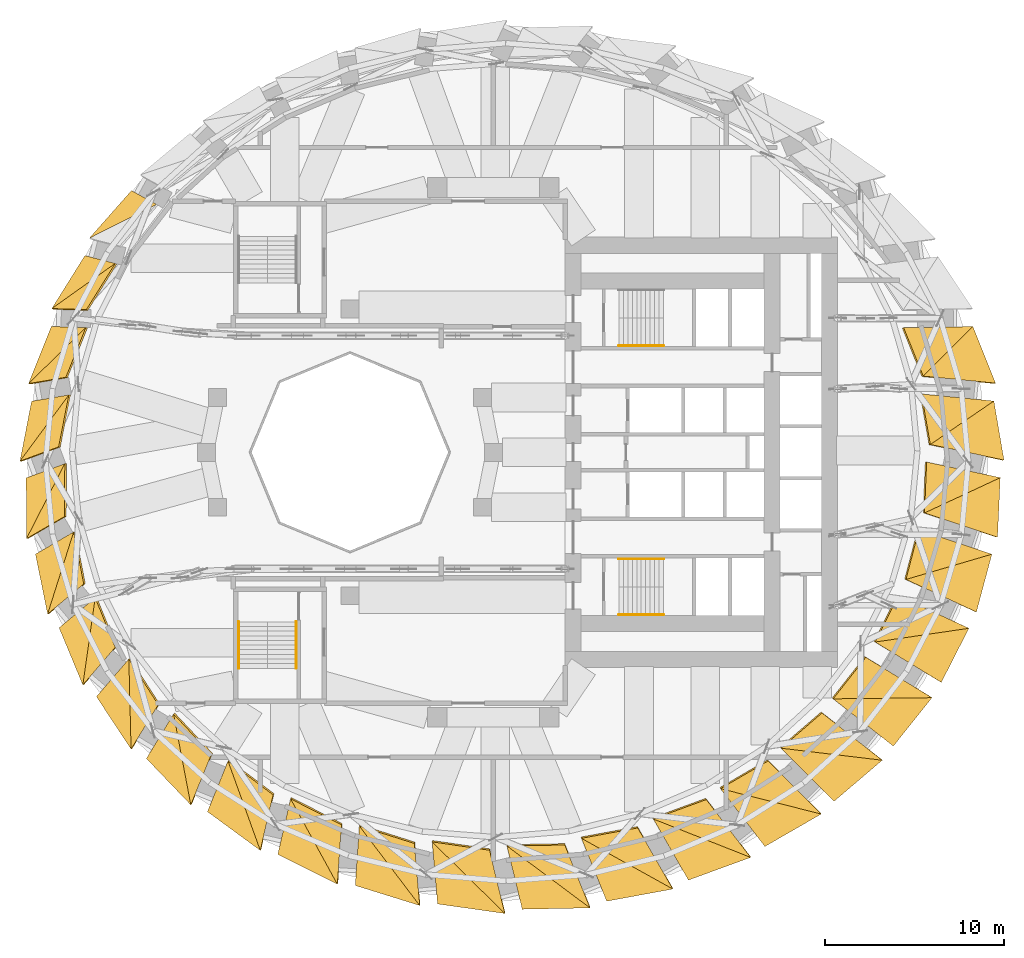
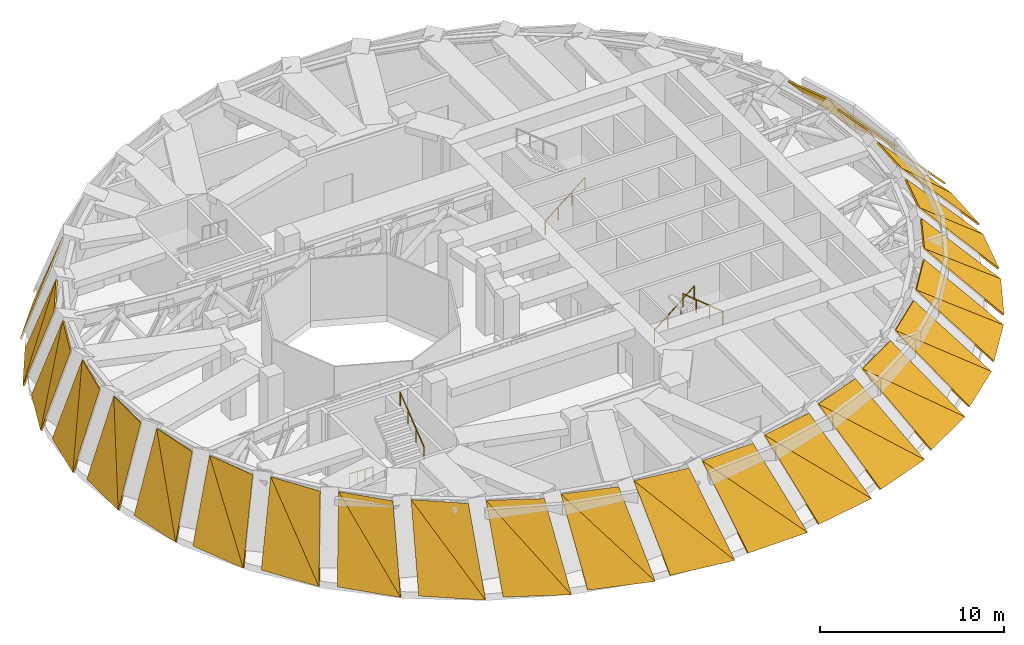
# One storey, part 13 of 14: 47 shading devices, 5 railings.
"""IFC4 building model written with IfcOpenShell, lengths in metres."""

from ifc_helpers import new_model, si_unit, direction, frame, origin, origin_2d, place, context, subcontext, project, spatial, polyline, circle, outline, extrude, material, layer, layer_set, type_object, element, save


model = new_model("IFC4")

# Units and contexts
model_context = context("Model", 3, precision=1e-05, world=origin(), true_north=direction((0.0, 1.0)))
body_context = subcontext(model_context, "Body", "Model", "MODEL_VIEW")
ifc_project = project(units=[si_unit("LENGTHUNIT", "METRE"), si_unit("AREAUNIT", "SQUARE_METRE"), si_unit("VOLUMEUNIT", "CUBIC_METRE"), si_unit("PLANEANGLEUNIT", "RADIAN"), si_unit("MASSUNIT", "GRAM", prefix="KILO")], contexts=[model_context])

# Site, building, storey
site_placement = place(None, origin())
site = spatial("IfcSite", under=ifc_project, at=site_placement, CompositionType="ELEMENT")
building_placement = place(site_placement, origin())
building = spatial("IfcBuilding", under=site, at=building_placement, Name="Taillehof Tower", CompositionType="ELEMENT")
storey_placement = place(building_placement, frame((0.0, 0.0, 135.10009765625)))
storey = spatial("IfcBuildingStorey", under=building, at=storey_placement, Name="L38", CompositionType="ELEMENT", Elevation=135.10009765625)

# Shading devices
ifc_material_1 = material(Name="Aluminium louvre blades", Category="aluminium")
ifc_layer = layer(ifc_material_1, 0.10009765625)
ifc_layer_set = layer_set([ifc_layer], Name="Louvre panel 100")
shading_device_type = type_object("IfcShadingDeviceType", Name="Louvre panel 100", PredefinedType="USERDEFINED", material=ifc_layer_set)
shading_device_1_placement = place(storey_placement, frame((28.48095703125, -0.434814453125, 0.0), z_axis=(0.729660648263, 0.125041453016, 0.672279683914), x_axis=(-0.168907087088, 0.985631977937, 0.0)))
element("IfcShadingDevice", 1, at=shading_device_1_placement, inside=storey, type_object=shading_device_type, Name="Louvre panel L38 bay 1a", ObjectType="LOUVER", PredefinedType="USERDEFINED", context=body_context, shape_type="SweptSolid", body=[
    extrude(outline(polyline([(0.0, 0.0), (3.34468740175809, 0.0), (1.5521855718003068, 5.801617988879547), (0.0, 0.0)])), origin(), (0.0, 0.0, -1.0), 0.10009765625),
])
shading_device_2_placement = place(storey_placement, frame((27.916015625, 2.86181640625, 0.0), z_axis=(0.728630543926, 0.127653900612, 0.672905648748), x_axis=(-0.683223724803, 0.066631777142, 0.727162669656)))
element("IfcShadingDevice", 2, at=shading_device_2_placement, inside=storey, type_object=shading_device_type, Name="Louvre panel L38 bay 1b", ObjectType="LOUVER", PredefinedType="USERDEFINED", context=body_context, shape_type="SweptSolid", body=[
    extrude(outline(polyline([(0.0, 0.0), (5.9064113907738545, 1.1102230246251565e-16), (5.381128498699239, 2.8134125505833003), (0.0, 0.0)])), origin(), (0.0, 0.0, -1.0), 0.10009765625),
])
shading_device_3_placement = place(storey_placement, frame((28.012939453125, 3.857177734375, 0.0), z_axis=(0.711385981948, 0.285500926305, 0.642198727628), x_axis=(-0.372454928712, 0.928050282085, 0.0)))
element("IfcShadingDevice", 3, at=shading_device_3_placement, inside=storey, type_object=shading_device_type, Name="Louvre panel L38 bay 2a", ObjectType="LOUVER", PredefinedType="USERDEFINED", context=body_context, shape_type="SweptSolid", body=[
    extrude(outline(polyline([(0.0, 0.0), (3.4006841227224816, -1.1102230246251565e-16), (1.868152372185079, 5.603010965598771), (0.0, 0.0)])), origin(), (0.0, 0.0, -1.0), 0.10009765625),
])
shading_device_4_placement = place(storey_placement, frame((26.746337890625, 7.01318359375, 0.0), z_axis=(0.710205791744, 0.28739845269, 0.642658433979), x_axis=(-0.668437125416, -0.011160346642, 0.743684917172)))
element("IfcShadingDevice", 4, at=shading_device_4_placement, inside=storey, type_object=shading_device_type, Name="Louvre panel L38 bay 2b", ObjectType="LOUVER", PredefinedType="USERDEFINED", context=body_context, shape_type="SweptSolid", body=[
    extrude(outline(polyline([(0.0, 0.0), (5.775190239617391, 1.1102230246251565e-16), (5.0755032683979655, 2.8251817675163613), (0.0, 0.0)])), origin(), (0.0, 0.0, -1.0), 0.10009765625),
])
shading_device_5_placement = place(storey_placement, frame((-20.18212890625, 14.59814453125, 0.0), z_axis=(-0.704546733497, 0.622618179753, 0.340529738142), x_axis=(-0.662195100195, -0.749331468228, 0.0)))
element("IfcShadingDevice", 5, at=shading_device_5_placement, inside=storey, type_object=shading_device_type, Name="Louvre panel L38 bay 15a", ObjectType="LOUVER", PredefinedType="USERDEFINED", context=body_context, shape_type="SweptSolid", body=[
    extrude(outline(polyline([(0.0, 0.0), (3.5471071175736384, 1.1102230246251565e-16), (-0.34572012589109447, 4.567929934960878), (0.0, 0.0)])), origin(), (0.0, 0.0, -1.0), 0.10009765625),
])
shading_device_6_placement = place(storey_placement, frame((-22.780517578125, 10.9716796875, 0.0), z_axis=(-0.790881509716, 0.493377780088, 0.362056354321), x_axis=(-0.52928658931, -0.848443107331, 0.0)))
element("IfcShadingDevice", 6, at=shading_device_6_placement, inside=storey, type_object=shading_device_type, Name="Louvre panel L38 bay 16a", ObjectType="LOUVER", PredefinedType="USERDEFINED", context=body_context, shape_type="SweptSolid", body=[
    extrude(outline(polyline([(0.0, 0.0), (3.482078736451962, -1.1102230246251565e-16), (-0.5261655470519193, 4.607513030206156), (0.0, 0.0)])), origin(), (0.0, 0.0, -1.0), 0.10009765625),
])
shading_device_7_placement = place(storey_placement, frame((-24.62353515625, 8.017333984375, 0.0), z_axis=(-0.790671699273, 0.494188548342, 0.361408276962), x_axis=(0.409324279121, -0.012290618795, 0.912306185012)))
element("IfcShadingDevice", 7, at=shading_device_7_placement, inside=storey, type_object=shading_device_type, Name="Louvre panel L38 bay 16b", ObjectType="LOUVER", PredefinedType="USERDEFINED", context=body_context, shape_type="SweptSolid", body=[
    extrude(outline(polyline([(0.0, 0.0), (4.707763627561761, -1.1102230246251565e-16), (5.335063009454969, 2.971918781680672), (0.0, 0.0)])), origin(), (0.0, 0.0, -1.0), 0.10009765625),
])
shading_device_8_placement = place(storey_placement, frame((-24.653564453125, 7.017822265625, 0.0), z_axis=(-0.855995043807, 0.340968298556, 0.38860404573), x_axis=(-0.370052641843, -0.929010786947, 0.0)))
element("IfcShadingDevice", 8, at=shading_device_8_placement, inside=storey, type_object=shading_device_type, Name="Louvre panel L38 bay 17a", ObjectType="LOUVER", PredefinedType="USERDEFINED", context=body_context, shape_type="SweptSolid", body=[
    extrude(outline(polyline([(0.0, 0.0), (3.4300176943803597, 5.551115123125783e-17), (-0.6592480207327704, 4.661275529384163), (0.0, 0.0)])), origin(), (0.0, 0.0, -1.0), 0.10009765625),
])
shading_device_9_placement = place(storey_placement, frame((-25.9228515625, 3.831298828125, 0.0), z_axis=(-0.855843088128, 0.34385947091, 0.386384876476), x_axis=(0.435005228502, 0.074371203466, 0.897351310954)))
element("IfcShadingDevice", 9, at=shading_device_9_placement, inside=storey, type_object=shading_device_type, Name="Louvre panel L38 bay 17b", ObjectType="LOUVER", PredefinedType="USERDEFINED", context=body_context, shape_type="SweptSolid", body=[
    extrude(outline(polyline([(0.0, 0.0), (4.7862212074272525, 0.0), (5.477032392832002, 2.907180733546552), (0.0, 0.0)])), origin(), (0.0, 0.0, -1.0), 0.10009765625),
])
shading_device_10_placement = place(storey_placement, frame((-25.75439453125, 2.845703125, 0.0), z_axis=(-0.891955230739, 0.171954188521, 0.418147848742), x_axis=(-0.189297850078, -0.9819197136, 0.0)))
element("IfcShadingDevice", 10, at=shading_device_10_placement, inside=storey, type_object=shading_device_type, Name="Louvre panel L38 bay 18a", ObjectType="LOUVER", PredefinedType="USERDEFINED", context=body_context, shape_type="SweptSolid", body=[
    extrude(outline(polyline([(0.0, 0.0), (3.397114156254653, 0.0), (-0.7434055391073184, 4.728116739602717), (0.0, 0.0)])), origin(), (0.0, 0.0, -1.0), 0.10009765625),
])
shading_device_11_placement = place(storey_placement, frame((-26.3974609375, -0.489990234375, 0.0), z_axis=(-0.892716693473, 0.176753995819, 0.414505645507), x_axis=(0.441850567579, 0.16277913317, 0.882196706939)))
element("IfcShadingDevice", 11, at=shading_device_11_placement, inside=storey, type_object=shading_device_type, Name="Louvre panel L38 bay 18b", ObjectType="LOUVER", PredefinedType="USERDEFINED", context=body_context, shape_type="SweptSolid", body=[
    extrude(outline(polyline([(0.0, 0.0), (4.868440157637816, -1.1102230246251565e-16), (5.593935790361758, 2.8647641481109036), (0.0, 0.0)])), origin(), (0.0, 0.0, -1.0), 0.10009765625),
])
shading_device_12_placement = place(storey_placement, frame((-26.0517578125, -1.42822265625, 0.0), z_axis=(-0.893844625391, -0.00367095206, 0.448361806771), x_axis=(0.004106889495, -0.999991566694, 0.0)))
element("IfcShadingDevice", 12, at=shading_device_12_placement, inside=storey, type_object=shading_device_type, Name="Louvre panel L38 bay 19a", ObjectType="LOUVER", PredefinedType="USERDEFINED", context=body_context, shape_type="SweptSolid", body=[
    extrude(outline(polyline([(0.0, 0.0), (3.3884563102646865, 0.0), (-0.7836393608758001, 4.804957743891896), (0.0, 0.0)])), origin(), (0.0, 0.0, -1.0), 0.10009765625),
])
shading_device_13_placement = place(storey_placement, frame((-26.037841796875, -4.816650390625, 0.0), z_axis=(-0.896285631261, 0.002602455375, 0.443469609354), x_axis=(0.429964387154, 0.250068747248, 0.867523052967)))
element("IfcShadingDevice", 13, at=shading_device_13_placement, inside=storey, type_object=shading_device_type, Name="Louvre panel L38 bay 19b", ObjectType="LOUVER", PredefinedType="USERDEFINED", context=body_context, shape_type="SweptSolid", body=[
    extrude(outline(polyline([(0.0, 0.0), (4.95078702555785, 0.0), (5.690381125382776, 2.848431824289171), (0.0, 0.0)])), origin(), (0.0, 0.0, -1.0), 0.10009765625),
])
shading_device_14_placement = place(storey_placement, frame((-25.53515625, -5.68115234375, 0.0), z_axis=(-0.861192117413, -0.174896190585, 0.477241510583), x_axis=(0.199023358945, -0.979994746207, 0.0)))
element("IfcShadingDevice", 14, at=shading_device_14_placement, inside=storey, type_object=shading_device_type, Name="Louvre panel L38 bay 20a", ObjectType="LOUVER", PredefinedType="USERDEFINED", context=body_context, shape_type="SweptSolid", body=[
    extrude(outline(polyline([(0.0, 0.0), (3.4065273504470834, 0.0), (-0.7896163797299196, 4.887412213563961), (0.0, 0.0)])), origin(), (0.0, 0.0, -1.0), 0.10009765625),
])
shading_device_15_placement = place(storey_placement, frame((-24.857177734375, -9.01953125, 0.0), z_axis=(-0.865716461591, -0.168054273536, 0.471479341303), x_axis=(0.400178528731, 0.333409321076, 0.853636556013)))
element("IfcShadingDevice", 15, at=shading_device_15_placement, inside=storey, type_object=shading_device_type, Name="Louvre panel L38 bay 20b", ObjectType="LOUVER", PredefinedType="USERDEFINED", context=body_context, shape_type="SweptSolid", body=[
    extrude(outline(polyline([(0.0, 0.0), (5.031323746324365, -2.220446049250313e-16), (5.772654500652838, 2.858475181926628), (0.0, 0.0)])), origin(), (0.0, 0.0, -1.0), 0.10009765625),
])
shading_device_16_placement = place(storey_placement, frame((-24.217041015625, -9.787841796875, 0.0), z_axis=(-0.797709172221, -0.331802987234, 0.503554221725), x_axis=(0.384047403769, -0.923313376735, 0.0)))
element("IfcShadingDevice", 16, at=shading_device_16_placement, inside=storey, type_object=shading_device_type, Name="Louvre panel L38 bay 21a", ObjectType="LOUVER", PredefinedType="USERDEFINED", context=body_context, shape_type="SweptSolid", body=[
    extrude(outline(polyline([(0.0, 0.0), (3.449332083096245, -1.1102230246251565e-16), (-0.7755974786781864, 4.971183681116148), (0.0, 0.0)])), origin(), (0.0, 0.0, -1.0), 0.10009765625),
])
shading_device_17_placement = place(storey_placement, frame((-22.892333984375, -12.97265625, 0.0), z_axis=(-0.804311309307, -0.325302711558, 0.497253922633), x_axis=(0.353721172222, 0.410293624999, 0.840559619306)))
element("IfcShadingDevice", 17, at=shading_device_17_placement, inside=storey, type_object=shading_device_type, Name="Louvre panel L38 bay 21b", ObjectType="LOUVER", PredefinedType="USERDEFINED", context=body_context, shape_type="SweptSolid", body=[
    extrude(outline(polyline([(0.0, 0.0), (5.1095981490842135, 1.1102230246251565e-16), (5.848725606723997, 2.8905199827370156), (0.0, 0.0)])), origin(), (0.0, 0.0, -1.0), 0.10009765625),
])
shading_device_18_placement = place(storey_placement, frame((-22.134765625, -13.625732421875, 0.0), z_axis=(-0.709650189616, -0.467682347833, 0.526943858397), x_axis=(0.550279204618, -0.834980716523, 0.0)))
element("IfcShadingDevice", 18, at=shading_device_18_placement, inside=storey, type_object=shading_device_type, Name="Louvre panel L38 bay 22a", ObjectType="LOUVER", PredefinedType="USERDEFINED", context=body_context, shape_type="SweptSolid", body=[
    extrude(outline(polyline([(0.0, 0.0), (3.5107355491777037, 0.0), (-0.7561273051058156, 5.053443227480868), (0.0, 0.0)])), origin(), (0.0, 0.0, -1.0), 0.10009765625),
])
shading_device_19_placement = place(storey_placement, frame((-20.202880859375, -16.55712890625, 0.0), z_axis=(-0.717690902958, -0.462473687323, 0.520612962137), x_axis=(0.292340718472, 0.478448462932, 0.828024137717)))
element("IfcShadingDevice", 19, at=shading_device_19_placement, inside=storey, type_object=shading_device_type, Name="Louvre panel L38 bay 22b", ObjectType="LOUVER", PredefinedType="USERDEFINED", context=body_context, shape_type="SweptSolid", body=[
    extrude(outline(polyline([(0.0, 0.0), (5.186952504600439, -4.440892098500626e-16), (5.925574452726838, 2.9378520173466494), (0.0, 0.0)])), origin(), (0.0, 0.0, -1.0), 0.10009765625),
])
shading_device_20_placement = place(storey_placement, frame((-19.349365234375, -17.078369140625, 0.0), z_axis=(-0.604024339128, -0.578937430574, 0.547709822097), x_axis=(0.691955684842, -0.721939976878, 0.0)))
element("IfcShadingDevice", 20, at=shading_device_20_placement, inside=storey, type_object=shading_device_type, Name="Louvre panel L38 bay 23a", ObjectType="LOUVER", PredefinedType="USERDEFINED", context=body_context, shape_type="SweptSolid", body=[
    extrude(outline(polyline([(0.0, 0.0), (3.582605014387915, 0.0), (-0.7423713677043748, 5.133362346968808), (0.0, 0.0)])), origin(), (0.0, 0.0, -1.0), 0.10009765625),
])
shading_device_21_placement = place(storey_placement, frame((-16.870361328125, -19.664794921875, 0.0), z_axis=(-0.612591579859, -0.575523300665, 0.54176054367), x_axis=(0.218124509051, 0.535712681349, 0.815741148645)))
element("IfcShadingDevice", 21, at=shading_device_21_placement, inside=storey, type_object=shading_device_type, Name="Louvre panel L38 bay 23b", ObjectType="LOUVER", PredefinedType="USERDEFINED", context=body_context, shape_type="SweptSolid", body=[
    extrude(outline(polyline([(0.0, 0.0), (5.265054830363455, -1.1102230246251565e-16), (6.008437271170703, 2.9925760223158897), (0.0, 0.0)])), origin(), (0.0, 0.0, -1.0), 0.10009765625),
])
shading_device_22_placement = place(storey_placement, frame((-15.9443359375, -20.0419921875, 0.0), z_axis=(-0.486891940147, -0.664674097808, 0.566696199319), x_axis=(0.806714959786, -0.590940753086, 0.0)))
element("IfcShadingDevice", 22, at=shading_device_22_placement, inside=storey, type_object=shading_device_type, Name="Louvre panel L38 bay 24a", ObjectType="LOUVER", PredefinedType="USERDEFINED", context=body_context, shape_type="SweptSolid", body=[
    extrude(outline(polyline([(0.0, 0.0), (3.6546268935966006, -1.1102230246251565e-16), (-0.7403201537033649, 5.212746726703128), (0.0, 0.0)])), origin(), (0.0, 0.0, -1.0), 0.10009765625),
])
shading_device_23_placement = place(storey_placement, frame((-12.99609375, -22.20166015625, 0.0), z_axis=(-0.49522185028, -0.663064201252, 0.561338742671), x_axis=(0.133666396107, 0.580286605852, 0.803368377284)))
element("IfcShadingDevice", 23, at=shading_device_23_placement, inside=storey, type_object=shading_device_type, Name="Louvre panel L38 bay 24b", ObjectType="LOUVER", PredefinedType="USERDEFINED", context=body_context, shape_type="SweptSolid", body=[
    extrude(outline(polyline([(0.0, 0.0), (5.346142562293287, -1.1102230246251565e-16), (6.099788645962918, 3.0464514537255862), (0.0, 0.0)])), origin(), (0.0, 0.0, -1.0), 0.10009765625),
])
shading_device_24_placement = place(storey_placement, frame((-12.021484375, -22.426025390625, 0.0), z_axis=(-0.363363395665, -0.725501192547, 0.584478453241), x_axis=(0.89412489553, -0.447817676285, 0.0)))
element("IfcShadingDevice", 24, at=shading_device_24_placement, inside=storey, type_object=shading_device_type, Name="Louvre panel L38 bay 25a", ObjectType="LOUVER", PredefinedType="USERDEFINED", context=body_context, shape_type="SweptSolid", body=[
    extrude(outline(polyline([(0.0, 0.0), (3.71757304375724, 0.0), (-0.7505394941972591, 5.293163694618567), (0.0, 0.0)])), origin(), (0.0, 0.0, -1.0), 0.10009765625),
])
shading_device_25_placement = place(storey_placement, frame((-8.697509765625, -24.0908203125, 0.0), z_axis=(-0.370427630717, -0.72543378414, 0.580111364506), x_axis=(0.041795620585, 0.610890183453, 0.790611351968)))
element("IfcShadingDevice", 25, at=shading_device_25_placement, inside=storey, type_object=shading_device_type, Name="Louvre panel L38 bay 25b", ObjectType="LOUVER", PredefinedType="USERDEFINED", context=body_context, shape_type="SweptSolid", body=[
    extrude(outline(polyline([(0.0, 0.0), (5.432406028965284, 1.1102230246251565e-16), (6.198711727903104, 3.09153432201727), (0.0, 0.0)])), origin(), (0.0, 0.0, -1.0), 0.10009765625),
])
shading_device_26_placement = place(storey_placement, frame((-7.69970703125, -24.1591796875, 0.0), z_axis=(-0.236810395691, -0.762704582229, 0.601832665065), x_axis=(0.955025501826, -0.296523676732, 0.0)))
element("IfcShadingDevice", 26, at=shading_device_26_placement, inside=storey, type_object=shading_device_type, Name="Louvre panel L38 bay 26a", ObjectType="LOUVER", PredefinedType="USERDEFINED", context=body_context, shape_type="SweptSolid", body=[
    extrude(outline(polyline([(0.0, 0.0), (3.7634997959519545, 0.0), (-0.7674383902878603, 5.377914351829722), (0.0, 0.0)])), origin(), (0.0, 0.0, -1.0), 0.10009765625),
])
shading_device_27_placement = place(storey_placement, frame((-4.10546875, -25.275146484375, 0.0), z_axis=(-0.242197126187, -0.763604690943, 0.598538576899), x_axis=(-0.054312892204, 0.626609030566, 0.777438893132)))
element("IfcShadingDevice", 27, at=shading_device_27_placement, inside=storey, type_object=shading_device_type, Name="Louvre panel L38 bay 26b", ObjectType="LOUVER", PredefinedType="USERDEFINED", context=body_context, shape_type="SweptSolid", body=[
    extrude(outline(polyline([(0.0, 0.0), (5.524449462129849, 2.220446049250313e-16), (6.300676064781246, 3.122954490516146), (0.0, 0.0)])), origin(), (0.0, 0.0, -1.0), 0.10009765625),
])
shading_device_28_placement = place(storey_placement, frame((-3.109130859375, -25.188720703125, 0.0), z_axis=(-0.109979696223, -0.777605062109, 0.619059636709), x_axis=(0.990145824464, -0.140040159584, 0.0)))
element("IfcShadingDevice", 28, at=shading_device_28_placement, inside=storey, type_object=shading_device_type, Name="Louvre panel L38 bay 27a", ObjectType="LOUVER", PredefinedType="USERDEFINED", context=body_context, shape_type="SweptSolid", body=[
    extrude(outline(polyline([(0.0, 0.0), (3.7865812140897455, 1.1102230246251565e-16), (-0.7818649025908118, 5.468841662886523), (0.0, 0.0)])), origin(), (0.0, 0.0, -1.0), 0.10009765625),
])
shading_device_29_placement = place(storey_placement, frame((0.64013671875, -25.718994140625, 0.0), z_axis=(-0.113369770885, -0.778785526266, 0.61696061392), x_axis=(-0.151385065322, 0.627253552354, 0.763960432914)))
element("IfcShadingDevice", 29, at=shading_device_29_placement, inside=storey, type_object=shading_device_type, Name="Louvre panel L38 bay 27b", ObjectType="LOUVER", PredefinedType="USERDEFINED", context=body_context, shape_type="SweptSolid", body=[
    extrude(outline(polyline([(0.0, 0.0), (5.6219166464161585, 2.220446049250313e-16), (6.398117056584725, 3.1373599068287845), (0.0, 0.0)])), origin(), (0.0, 0.0, -1.0), 0.10009765625),
])
shading_device_30_placement = place(storey_placement, frame((1.6123046875, -25.484375, 0.0), z_axis=(0.015333098354, -0.771284716881, 0.636305572504), x_axis=(0.999802452431, 0.019876018547, 0.0)))
element("IfcShadingDevice", 30, at=shading_device_30_placement, inside=storey, type_object=shading_device_type, Name="Louvre panel L38 bay 28a", ObjectType="LOUVER", PredefinedType="USERDEFINED", context=body_context, shape_type="SweptSolid", body=[
    extrude(outline(polyline([(0.0, 0.0), (3.783218068658071, 0.0), (-0.7808159514846216, 5.56742967886962), (0.0, 0.0)])), origin(), (0.0, 0.0, -1.0), 0.10009765625),
])
shading_device_31_placement = place(storey_placement, frame((5.394775390625, -25.4091796875, 0.0), z_axis=(0.01379938502, -0.772122369435, 0.63532403039), x_axis=(-0.246344884981, 0.613174348277, 0.750554072842)))
element("IfcShadingDevice", 31, at=shading_device_31_placement, inside=storey, type_object=shading_device_type, Name="Louvre panel L38 bay 28b", ObjectType="LOUVER", PredefinedType="USERDEFINED", context=body_context, shape_type="SweptSolid", body=[
    extrude(outline(polyline([(0.0, 0.0), (5.722335046079781, -1.1102230246251565e-16), (6.4811912618958285, 3.133821882766041), (0.0, 0.0)])), origin(), (0.0, 0.0, -1.0), 0.10009765625),
])
shading_device_32_placement = place(storey_placement, frame((6.322509765625, -25.036376953125, 0.0), z_axis=(0.137227304779, -0.744554177689, 0.653305245125), x_axis=(0.983436102343, 0.181255158847, 0.0)))
element("IfcShadingDevice", 32, at=shading_device_32_placement, inside=storey, type_object=shading_device_type, Name="Louvre panel L38 bay 29a", ObjectType="LOUVER", PredefinedType="USERDEFINED", context=body_context, shape_type="SweptSolid", body=[
    extrude(outline(polyline([(0.0, 0.0), (3.7525871571197915, -5.551115123125783e-17), (-0.7500921571973366, 5.67289977705148), (0.0, 0.0)])), origin(), (0.0, 0.0, -1.0), 0.10009765625),
])
shading_device_33_placement = place(storey_placement, frame((10.012939453125, -24.356201171875, 0.0), z_axis=(0.137307602879, -0.74449177096, 0.653359491524), x_axis=(-0.336198754909, 0.585422803857, 0.737733378614)))
element("IfcShadingDevice", 33, at=shading_device_33_placement, inside=storey, type_object=shading_device_type, Name="Louvre panel L38 bay 29b", ObjectType="LOUVER", PredefinedType="USERDEFINED", context=body_context, shape_type="SweptSolid", body=[
    extrude(outline(polyline([(0.0, 0.0), (5.821780604622569, 4.440892098500626e-16), (6.5390063460351735, 3.1140502395693312), (0.0, 0.0)])), origin(), (0.0, 0.0, -1.0), 0.10009765625),
])
shading_device_34_placement = place(storey_placement, frame((10.880126953125, -23.858154296875, 0.0), z_axis=(0.254192820504, -0.697853437774, 0.669616748141), x_axis=(0.939608234666, 0.342251903352, 0.0)))
element("IfcShadingDevice", 34, at=shading_device_34_placement, inside=storey, type_object=shading_device_type, Name="Louvre panel L38 bay 30a", ObjectType="LOUVER", PredefinedType="USERDEFINED", context=body_context, shape_type="SweptSolid", body=[
    extrude(outline(polyline([(0.0, 0.0), (3.697934146177145, -2.220446049250313e-16), (-0.6726080679980657, 5.782795845888341), (0.0, 0.0)])), origin(), (0.0, 0.0, -1.0), 0.10009765625),
])
shading_device_35_placement = place(storey_placement, frame((14.354736328125, -22.592529296875, 0.0), z_axis=(0.255342740911, -0.696624719119, 0.670458116049), x_axis=(-0.418701037565, 0.545376262751, 0.726122698427)))
element("IfcShadingDevice", 35, at=shading_device_35_placement, inside=storey, type_object=shading_device_type, Name="Louvre panel L38 bay 30b", ObjectType="LOUVER", PredefinedType="USERDEFINED", context=body_context, shape_type="SweptSolid", body=[
    extrude(outline(polyline([(0.0, 0.0), (5.91487070202686, 4.440892098500626e-16), (6.561487299169556, 3.080462865211593), (0.0, 0.0)])), origin(), (0.0, 0.0, -1.0), 0.10009765625),
])
shading_device_36_placement = place(storey_placement, frame((15.14794921875, -21.983642578125, 0.0), z_axis=(0.364213042173, -0.631613689724, 0.684407047643), x_axis=(0.866292114835, 0.499537758107, 0.0)))
element("IfcShadingDevice", 36, at=shading_device_36_placement, inside=storey, type_object=shading_device_type, Name="Louvre panel L38 bay 31a", ObjectType="LOUVER", PredefinedType="USERDEFINED", context=body_context, shape_type="SweptSolid", body=[
    extrude(outline(polyline([(0.0, 0.0), (3.623955757086835, 0.0), (-0.5340026403844186, 5.890716136579506), (0.0, 0.0)])), origin(), (0.0, 0.0, -1.0), 0.10009765625),
])
shading_device_37_placement = place(storey_placement, frame((18.287353515625, -20.17333984375, 0.0), z_axis=(0.365888516608, -0.629146254592, 0.68578464823), x_axis=(-0.491883687554, 0.494815687347, 0.716385282842)))
element("IfcShadingDevice", 37, at=shading_device_37_placement, inside=storey, type_object=shading_device_type, Name="Louvre panel L38 bay 31b", ObjectType="LOUVER", PredefinedType="USERDEFINED", context=body_context, shape_type="SweptSolid", body=[
    extrude(outline(polyline([(0.0, 0.0), (5.995268157882494, -1.1102230246251565e-16), (6.539646414992525, 3.036804143130623), (0.0, 0.0)])), origin(), (0.0, 0.0, -1.0), 0.10009765625),
])
shading_device_38_placement = place(storey_placement, frame((18.99658203125, -19.46826171875, 0.0), z_axis=(0.465124264474, -0.546215496202, 0.696640545983), x_axis=(0.761360478449, 0.648328791476, 0.0)))
element("IfcShadingDevice", 38, at=shading_device_38_placement, inside=storey, type_object=shading_device_type, Name="Louvre panel L38 bay 32a", ObjectType="LOUVER", PredefinedType="USERDEFINED", context=body_context, shape_type="SweptSolid", body=[
    extrude(outline(polyline([(0.0, 0.0), (3.54012662371506, 0.0), (-0.3219311703992505, 5.9866184617399085), (0.0, 0.0)])), origin(), (0.0, 0.0, -1.0), 0.10009765625),
])
shading_device_39_placement = place(storey_placement, frame((21.69189453125, -17.173095703125, 0.0), z_axis=(0.466800635711, -0.542668779757, 0.698289167879), x_axis=(-0.554500552654, 0.4355062497, 0.709128650937)))
element("IfcShadingDevice", 39, at=shading_device_39_placement, inside=storey, type_object=shading_device_type, Name="Louvre panel L38 bay 32b", ObjectType="LOUVER", PredefinedType="USERDEFINED", context=body_context, shape_type="SweptSolid", body=[
    extrude(outline(polyline([(0.0, 0.0), (6.056618738119516, -5.551115123125783e-17), (6.467805588562464, 2.9870691120368082), (0.0, 0.0)])), origin(), (0.0, 0.0, -1.0), 0.10009765625),
])
shading_device_40_placement = place(storey_placement, frame((22.3095703125, -16.38671875, 0.0), z_axis=(0.554388670531, -0.442188578193, 0.705069119521), x_axis=(0.623557349445, 0.781777610292, 0.0)))
element("IfcShadingDevice", 40, at=shading_device_40_placement, inside=storey, type_object=shading_device_type, Name="Louvre panel L38 bay 33a", ObjectType="LOUVER", PredefinedType="USERDEFINED", context=body_context, shape_type="SweptSolid", body=[
    extrude(outline(polyline([(0.0, 0.0), (3.456415740138439, -2.220446049250313e-16), (-0.032062889983212994, 6.056533869303989), (0.0, 0.0)])), origin(), (0.0, 0.0, -1.0), 0.10009765625),
])
shading_device_41_placement = place(storey_placement, frame((24.46484375, -13.6845703125, 0.0), z_axis=(0.555636091588, -0.437944396239, 0.70673420713), x_axis=(-0.605553671267, 0.369294774642, 0.704929869304)))
element("IfcShadingDevice", 41, at=shading_device_41_placement, inside=storey, type_object=shading_device_type, Name="Louvre panel L38 bay 33b", ObjectType="LOUVER", PredefinedType="USERDEFINED", context=body_context, shape_type="SweptSolid", body=[
    extrude(outline(polyline([(0.0, 0.0), (6.092693843771062, -2.7755575615628914e-16), (6.342640759810179, 2.9363231863737957), (0.0, 0.0)])), origin(), (0.0, 0.0, -1.0), 0.10009765625),
])
shading_device_42_placement = place(storey_placement, frame((24.985595703125, -12.830810546875, 0.0), z_axis=(0.628956968874, -0.320612787533, 0.70825177146), x_axis=(0.454151534885, 0.890924454351, 0.0)))
element("IfcShadingDevice", 42, at=shading_device_42_placement, inside=storey, type_object=shading_device_type, Name="Louvre panel L38 bay 34a", ObjectType="LOUVER", PredefinedType="USERDEFINED", context=body_context, shape_type="SweptSolid", body=[
    extrude(outline(polyline([(0.0, 0.0), (3.3856489258347344, 0.0), (0.32900922268539, 6.083804007799211), (0.0, 0.0)])), origin(), (0.0, 0.0, -1.0), 0.10009765625),
])
shading_device_43_placement = place(storey_placement, frame((26.523193359375, -9.814453125, 0.0), z_axis=(0.629529157587, -0.31616326795, 0.709742085371), x_axis=(-0.644462653603, 0.29777073037, 0.704273015417)))
element("IfcShadingDevice", 43, at=shading_device_43_placement, inside=storey, type_object=shading_device_type, Name="Louvre panel L38 bay 34b", ObjectType="LOUVER", PredefinedType="USERDEFINED", context=body_context, shape_type="SweptSolid", body=[
    extrude(outline(polyline([(0.0, 0.0), (6.098376312848092, 0.0), (6.16523778765618, 2.888868377382221), (0.0, 0.0)])), origin(), (0.0, 0.0, -1.0), 0.10009765625),
])
shading_device_44_placement = place(storey_placement, frame((26.942626953125, -8.90673828125, 0.0), z_axis=(0.685440603183, -0.183282323449, 0.704683453346), x_axis=(0.258318088455, 0.966059918006, 0.0)))
element("IfcShadingDevice", 44, at=shading_device_44_placement, inside=storey, type_object=shading_device_type, Name="Louvre panel L38 bay 35a", ObjectType="LOUVER", PredefinedType="USERDEFINED", context=body_context, shape_type="SweptSolid", body=[
    extrude(outline(polyline([(0.0, 0.0), (3.3381506214254917, 0.0), (0.7391131348324074, 6.05326246378648), (0.0, 0.0)])), origin(), (0.0, 0.0, -1.0), 0.10009765625),
])
shading_device_45_placement = place(storey_placement, frame((27.804931640625, -5.681884765625, 0.0), z_axis=(0.685299119463, -0.1791294912, 0.70588791054), x_axis=(-0.670658337346, 0.222587455852, 0.707581952176)))
element("IfcShadingDevice", 45, at=shading_device_45_placement, inside=storey, type_object=shading_device_type, Name="Louvre panel L38 bay 35b", ObjectType="LOUVER", PredefinedType="USERDEFINED", context=body_context, shape_type="SweptSolid", body=[
    extrude(outline(polyline([(0.0, 0.0), (6.069857861395937, -8.326672684688674e-17), (5.93935107390887, 2.8497528196424344), (0.0, 0.0)])), origin(), (0.0, 0.0, -1.0), 0.10009765625),
])
shading_device_46_placement = place(storey_placement, frame((28.1201171875, -4.732666015625, 0.0), z_axis=(0.720144433715, -0.033261065262, 0.693026475776), x_axis=(0.046137474635, 0.998935099711, 0.0)))
element("IfcShadingDevice", 46, at=shading_device_46_placement, inside=storey, type_object=shading_device_type, Name="Louvre panel L38 bay 36a", ObjectType="LOUVER", PredefinedType="USERDEFINED", context=body_context, shape_type="SweptSolid", body=[
    extrude(outline(polyline([(0.0, 0.0), (3.323118868368912, 0.0), (1.161575110993223, 5.957621847219526), (0.0, 0.0)])), origin(), (0.0, 0.0, -1.0), 0.10009765625),
])
shading_device_47_placement = place(storey_placement, frame((28.2734375, -1.4130859375, 0.0), z_axis=(0.719439857917, -0.029811727262, 0.693914657403), x_axis=(-0.683761594822, 0.145045265774, 0.71514470726)))
element("IfcShadingDevice", 47, at=shading_device_47_placement, inside=storey, type_object=shading_device_type, Name="Louvre panel L38 bay 36b", ObjectType="LOUVER", PredefinedType="USERDEFINED", context=body_context, shape_type="SweptSolid", body=[
    extrude(outline(polyline([(0.0, 0.0), (6.005668267411696, 5.551115123125783e-17), (5.674224555794471, 2.8228895089847663), (0.0, 0.0)])), origin(), (0.0, 0.0, -1.0), 0.10009765625),
])

# Railings
ifc_material_2 = material(Name="Stainless steel", Category="steel")
railing_type = type_object("IfcRailingType", Name="Stair handrail 900", PredefinedType="HANDRAIL", material=ifc_material_2)
for number, where, name in (
    (48, (7.0, 5.949951171875, 0.204345703125), "Stair S1 handrail"),
    (49, (7.0, -5.949951171875, 0.204345703125), "Stair S2 handrail"),
):
    element("IfcRailing", number, at=place(storey_placement, frame(where)), inside=storey, type_object=railing_type, Name=name, PredefinedType="HANDRAIL", context=body_context, shape_type="SweptSolid", body=[
        extrude(circle(Radius=0.02392578125, at=origin_2d()), frame((0.0, 0.0, 0.8759765625), z_axis=(0.773926991963, 0.0, 0.633274830631), x_axis=(0.0, 1.0, 0.0)), (0.0, 0.0, 1.0), 3.230224609375),
        extrude(circle(Radius=0.02099609375, at=origin_2d()), origin(), (0.0, 0.0, 1.0), 0.851806640625),
        extrude(circle(Radius=0.02099609375, at=origin_2d()), frame((0.833251953125, 0.0, 0.681884765625)), (0.0, 0.0, 1.0), 0.851806640625),
        extrude(circle(Radius=0.02099609375, at=origin_2d()), frame((1.666748046875, 0.0, 1.36376953125)), (0.0, 0.0, 1.0), 0.851806640625),
        extrude(circle(Radius=0.02099609375, at=origin_2d()), frame((2.5, 0.0, 2.045654296875)), (0.0, 0.0, 1.0), 0.851806640625),
    ])
railing_1_placement = place(storey_placement, frame((9.5, -9.050048828125, 2.454345703125)))
element("IfcRailing", 50, at=railing_1_placement, inside=storey, type_object=railing_type, Name="Stair S2 handrail", PredefinedType="HANDRAIL", context=body_context, shape_type="SweptSolid", body=[
    extrude(circle(Radius=0.02392578125, at=origin_2d()), frame((0.0, 0.0, 0.8759765625), z_axis=(-0.773926991963, 0.0, 0.633274830631), x_axis=(0.0, -1.0, 0.0)), (0.0, 0.0, 1.0), 3.230224609375),
    extrude(circle(Radius=0.02099609375, at=origin_2d()), origin(), (0.0, 0.0, 1.0), 0.851806640625),
    extrude(circle(Radius=0.02099609375, at=origin_2d()), frame((-0.833251953125, 0.0, 0.681884765625)), (0.0, 0.0, 1.0), 0.851806640625),
    extrude(circle(Radius=0.02099609375, at=origin_2d()), frame((-1.666748046875, 0.0, 1.36376953125)), (0.0, 0.0, 1.0), 0.851806640625),
    extrude(circle(Radius=0.02099609375, at=origin_2d()), frame((-2.5, 0.0, 2.045654296875)), (0.0, 0.0, 1.0), 0.851806640625),
])
railing_2_placement = place(storey_placement, frame((-14.199951171875, -9.449951171875, 0.204345703125)))
element("IfcRailing", 51, at=railing_2_placement, inside=storey, type_object=railing_type, Name="Stair S4 handrail", PredefinedType="HANDRAIL", context=body_context, shape_type="SweptSolid", body=[
    extrude(circle(Radius=0.02392578125, at=origin_2d()), frame((0.0, 0.0, 0.8759765625), z_axis=(0.0, -0.785918702737, 0.618329841337), x_axis=(1.0, 0.0, 0.0)), (0.0, 0.0, 1.0), 3.308349609375),
    extrude(circle(Radius=0.02099609375, at=origin_2d()), origin(), (0.0, 0.0, 1.0), 0.851806640625),
    extrude(circle(Radius=0.02099609375, at=origin_2d()), frame((0.0, -0.86669921875, 0.681884765625)), (0.0, 0.0, 1.0), 0.851806640625),
    extrude(circle(Radius=0.02099609375, at=origin_2d()), frame((0.0, -1.7333984375, 1.36376953125)), (0.0, 0.0, 1.0), 0.851806640625),
    extrude(circle(Radius=0.02099609375, at=origin_2d()), frame((0.0, -2.60009765625, 2.045654296875)), (0.0, 0.0, 1.0), 0.851806640625),
])
railing_3_placement = place(storey_placement, frame((-11.0, -12.050048828125, 2.454345703125)))
element("IfcRailing", 52, at=railing_3_placement, inside=storey, type_object=railing_type, Name="Stair S4 handrail", PredefinedType="HANDRAIL", context=body_context, shape_type="SweptSolid", body=[
    extrude(circle(Radius=0.02392578125, at=origin_2d()), frame((0.0, 0.0, 0.8759765625), z_axis=(0.0, 0.785918702737, 0.618329841337), x_axis=(-1.0, 0.0, 0.0)), (0.0, 0.0, 1.0), 3.308349609375),
    extrude(circle(Radius=0.02099609375, at=origin_2d()), origin(), (0.0, 0.0, 1.0), 0.851806640625),
    extrude(circle(Radius=0.02099609375, at=origin_2d()), frame((0.0, 0.86669921875, 0.681884765625)), (0.0, 0.0, 1.0), 0.851806640625),
    extrude(circle(Radius=0.02099609375, at=origin_2d()), frame((0.0, 1.7333984375, 1.36376953125)), (0.0, 0.0, 1.0), 0.851806640625),
    extrude(circle(Radius=0.02099609375, at=origin_2d()), frame((0.0, 2.60009765625, 2.045654296875)), (0.0, 0.0, 1.0), 0.851806640625),
])

save(model, "model.ifc")
